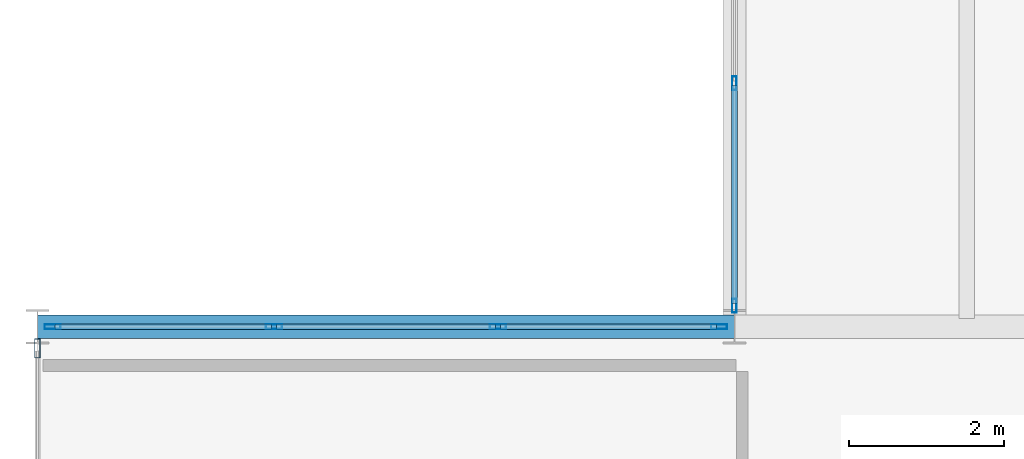
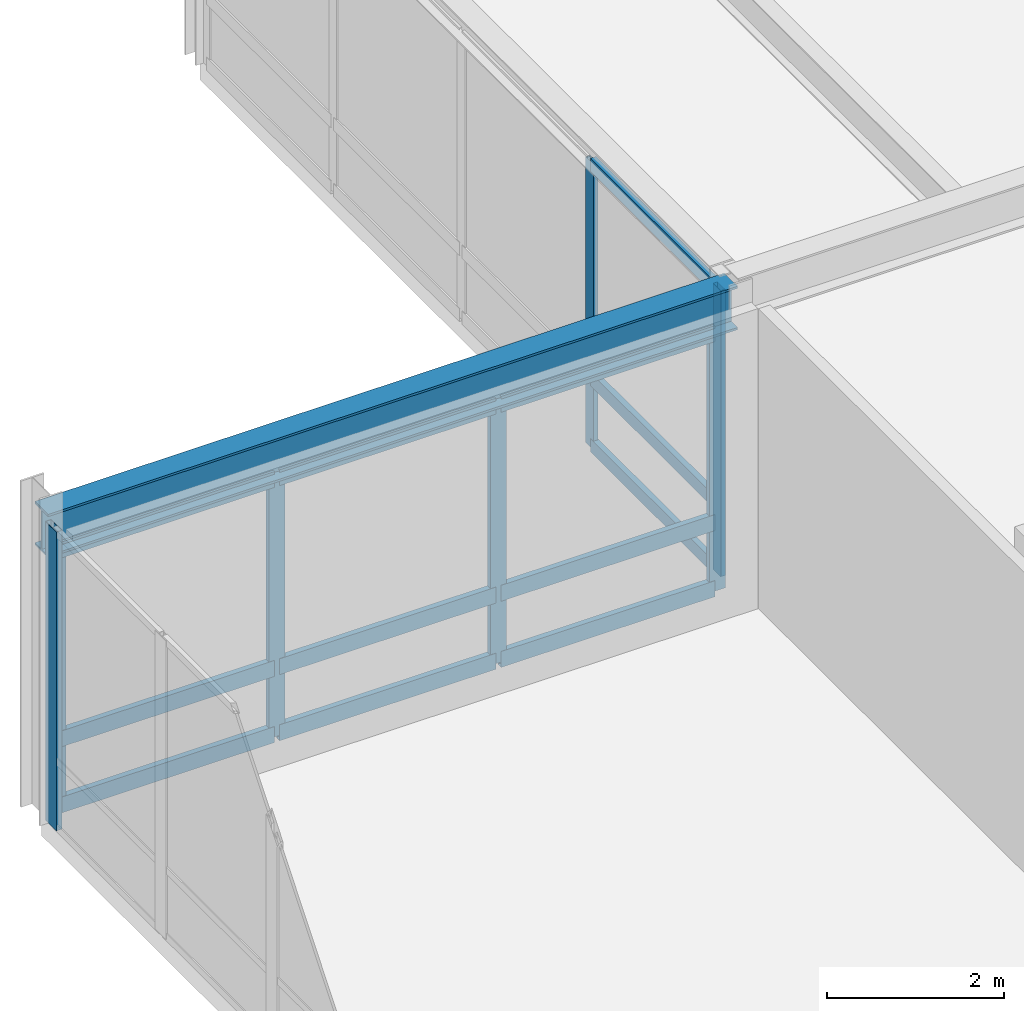
# One storey, part 63 of 115: 19 members, 1 beam, 3 elements without a shape of their own.
"""IFC4 building model written with IfcOpenShell, lengths in metres."""

from ifc_helpers import new_model, si_unit, direction, frame, origin, origin_2d, place, context, subcontext, project, spatial, hollow_rectangle, i_section, extrude, material, layer, layer_set, material_profile, profile_set, type_object, element, aggregate, save


model = new_model("IFC4")

# Units and contexts
model_context = context("Model", 3, precision=1e-05, world=origin(), true_north=direction((0.0, 1.0)))
body_context = subcontext(model_context, "Body", "Model", "MODEL_VIEW")
ifc_project = project(units=[si_unit("LENGTHUNIT", "METRE"), si_unit("AREAUNIT", "SQUARE_METRE"), si_unit("VOLUMEUNIT", "CUBIC_METRE"), si_unit("PLANEANGLEUNIT", "RADIAN"), si_unit("MASSUNIT", "GRAM", prefix="KILO")], contexts=[model_context])

# Site, building, storey
site_placement = place(None, origin())
site = spatial("IfcSite", under=ifc_project, at=site_placement, CompositionType="ELEMENT")
building_placement = place(site_placement, origin())
building = spatial("IfcBuilding", under=site, at=building_placement, Name="Montelvaro Courts of Justice", CompositionType="ELEMENT")
storey_placement = place(building_placement, frame((0.0, 0.0, 9.89990234375)))
storey = spatial("IfcBuildingStorey", under=building, at=storey_placement, Name="L02", CompositionType="ELEMENT", Elevation=9.89990234375)

# Beam
ifc_material_1 = material(Name="Steel S355", Category="steel")
ifc_material_profile_1 = material_profile(ifc_material_1, i_section(OverallWidth=0.300048828125, OverallDepth=0.60009765625, WebThickness=0.015380859375, FlangeThickness=0.030029296875, at=origin_2d()), Name="HEB 600")
ifc_profile_set_1 = profile_set([ifc_material_profile_1], Name="Steel S355")
beam_type = type_object("IfcBeamType", Name="Beam_HEB600", PredefinedType="USERDEFINED", material=ifc_profile_set_1)
beam_placement = place(storey_placement, frame((18.0, 96.0, 3.900146484375), z_axis=(1.0, 0.0, 0.0), x_axis=(0.0, 1.0, 0.0)))
element("IfcBeam", 1, at=beam_placement, inside=storey, type_object=beam_type, Name="V1 Roof Eave Girder", ObjectType="GIRDER", PredefinedType="USERDEFINED", context=body_context, shape_type="SweptSolid", body=[
    extrude(i_section(OverallWidth=0.300048828125, OverallDepth=0.60009765625, WebThickness=0.015380859375, FlangeThickness=0.030029296875, at=origin_2d()), origin(), (0.0, 0.0, 1.0), 9.0),
])

# Curtain wall, members
ifc_material_2 = material(Name="Anodised aluminium EN AW-6063", Category="aluminium")
ifc_layer_1 = layer(ifc_material_2, 0.159912109375)
ifc_layer_set_1 = layer_set([ifc_layer_1], Name="Anodised aluminium EN AW-6063")
curtain_wall_type_1 = type_object("IfcCurtainWallType", Name="CurtainWall_19_1159x418", PredefinedType="USERDEFINED", material=ifc_layer_set_1)
curtain_wall_1_placement = place(storey_placement, origin())
curtain_wall_1 = element("IfcCurtainWall", 2, at=curtain_wall_1_placement, inside=storey, type_object=curtain_wall_type_1, Name="Curtain Wall CW-19 (L02)", ObjectType="CURTAIN WALL", PredefinedType="USERDEFINED")
ifc_material_profile_2 = material_profile(ifc_material_2, hollow_rectangle(XDim=0.06005859375, YDim=0.179931640625, WallThickness=0.00439453125, at=origin_2d()), Name="ALU-M 60x180")
ifc_profile_set_2 = profile_set([ifc_material_profile_2], Name="Anodised aluminium EN AW-6063")
member_type_1 = type_object("IfcMemberType", Name="CurtainWall_Mullion_60x180", PredefinedType="MULLION", material=ifc_profile_set_2)
member_1_placement = place(storey_placement, frame((27.0, 99.143798828125, 0.0), z_axis=(0.0, 0.0, 1.0), x_axis=(1.0, 0.0, 0.0)))
member_1 = element("IfcMember", 3, at=member_1_placement, type_object=member_type_1, Name="CW-19 mullion 4", PredefinedType="MULLION", context=body_context, shape_type="SweptSolid", body=[
    extrude(hollow_rectangle(XDim=0.06005859375, YDim=0.179931640625, WallThickness=0.00439453125, at=origin_2d()), origin(), (0.0, 0.0, 1.0), 3.945068359375),
])
member_2_placement = place(storey_placement, frame((27.0, 96.27001953125, 0.0), z_axis=(0.0, 0.0, 1.0), x_axis=(1.0, 0.0, 0.0)))
member_2 = element("IfcMember", 4, at=member_2_placement, type_object=member_type_1, Name="CW-19 mullion 5", PredefinedType="MULLION", context=body_context, shape_type="SweptSolid", body=[
    extrude(hollow_rectangle(XDim=0.06005859375, YDim=0.179931640625, WallThickness=0.00439453125, at=origin_2d()), origin(), (0.0, 0.0, 1.0), 3.945068359375),
])

ifc_layer_2 = layer(ifc_material_2, 0.159912109375)
ifc_layer_set_2 = layer_set([ifc_layer_2], Name="Anodised aluminium EN AW-6063")
curtain_wall_type_2 = type_object("IfcCurtainWallType", Name="CurtainWall_14_867x418", PredefinedType="USERDEFINED", material=ifc_layer_set_2)
curtain_wall_2_placement = place(storey_placement, origin())
curtain_wall_2 = element("IfcCurtainWall", 5, at=curtain_wall_2_placement, inside=storey, type_object=curtain_wall_type_2, Name="Curtain Wall CW-14 (L02)", ObjectType="CURTAIN WALL", PredefinedType="USERDEFINED")
ifc_material_profile_3 = material_profile(ifc_material_2, hollow_rectangle(XDim=0.06494140625, YDim=0.2099609375, WallThickness=0.0048828125, at=origin_2d()), Name="ALU-M 65x210")
ifc_profile_set_3 = profile_set([ifc_material_profile_3], Name="Anodised aluminium EN AW-6063")
member_type_2 = type_object("IfcMemberType", Name="CurtainWall_Mullion_65x210", PredefinedType="MULLION", material=ifc_profile_set_3)
member_3_placement = place(storey_placement, frame((26.802490234375, 96.0, 0.0), z_axis=(0.0, 0.0, 1.0), x_axis=(0.0, -1.0, 0.0)))
member_3 = element("IfcMember", 6, at=member_3_placement, type_object=member_type_2, Name="CW-14 mullion 1", PredefinedType="MULLION", context=body_context, shape_type="SweptSolid", body=[
    extrude(hollow_rectangle(XDim=0.06494140625, YDim=0.2099609375, WallThickness=0.0048828125, at=origin_2d()), origin(), (0.0, 0.0, 1.0), 3.59521484375),
])
member_4_placement = place(storey_placement, frame((23.945068359375, 96.0, 0.0), z_axis=(0.0, 0.0, 1.0), x_axis=(0.0, -1.0, 0.0)))
member_4 = element("IfcMember", 7, at=member_4_placement, type_object=member_type_2, Name="CW-14 mullion 2", PredefinedType="MULLION", context=body_context, shape_type="SweptSolid", body=[
    extrude(hollow_rectangle(XDim=0.06494140625, YDim=0.2099609375, WallThickness=0.0048828125, at=origin_2d()), origin(), (0.0, 0.0, 1.0), 3.59521484375),
])
member_5_placement = place(storey_placement, frame((21.054931640625, 96.0, 0.0), z_axis=(0.0, 0.0, 1.0), x_axis=(0.0, -1.0, 0.0)))
member_5 = element("IfcMember", 8, at=member_5_placement, type_object=member_type_2, Name="CW-14 mullion 3", PredefinedType="MULLION", context=body_context, shape_type="SweptSolid", body=[
    extrude(hollow_rectangle(XDim=0.06494140625, YDim=0.2099609375, WallThickness=0.0048828125, at=origin_2d()), origin(), (0.0, 0.0, 1.0), 3.59521484375),
])
member_6_placement = place(storey_placement, frame((18.197509765625, 96.0, 0.0), z_axis=(0.0, 0.0, 1.0), x_axis=(0.0, -1.0, 0.0)))
member_6 = element("IfcMember", 9, at=member_6_placement, type_object=member_type_2, Name="CW-14 mullion 4", PredefinedType="MULLION", context=body_context, shape_type="SweptSolid", body=[
    extrude(hollow_rectangle(XDim=0.06494140625, YDim=0.2099609375, WallThickness=0.0048828125, at=origin_2d()), origin(), (0.0, 0.0, 1.0), 3.59521484375),
])

# Curtain wall, member
ifc_layer_3 = layer(ifc_material_2, 0.159912109375)
ifc_layer_set_3 = layer_set([ifc_layer_3], Name="Anodised aluminium EN AW-6063")
curtain_wall_type_3 = type_object("IfcCurtainWallType", Name="CurtainWall_22_1761x418", PredefinedType="USERDEFINED", material=ifc_layer_set_3)
curtain_wall_3_placement = place(storey_placement, origin())
curtain_wall_3 = element("IfcCurtainWall", 10, at=curtain_wall_3_placement, inside=storey, type_object=curtain_wall_type_3, Name="Curtain Wall CW-22 (L02)", ObjectType="CURTAIN WALL", PredefinedType="USERDEFINED")
ifc_material_profile_4 = material_profile(ifc_material_2, hollow_rectangle(XDim=0.074951171875, YDim=0.25, WallThickness=0.005615234375, at=origin_2d()), Name="ALU-M 75x250")
ifc_profile_set_4 = profile_set([ifc_material_profile_4], Name="Anodised aluminium EN AW-6063")
member_type_3 = type_object("IfcMemberType", Name="CurtainWall_Mullion_75x250", PredefinedType="MULLION", material=ifc_profile_set_4)
member_7_placement = place(storey_placement, frame((18.0, 95.722412109375, 0.0), z_axis=(0.0, 0.0, 1.0), x_axis=(1.0, 0.0, 0.0)))
member_7 = element("IfcMember", 11, at=member_7_placement, type_object=member_type_3, Name="CW-22 mullion 1", PredefinedType="MULLION", context=body_context, shape_type="SweptSolid", body=[
    extrude(hollow_rectangle(XDim=0.074951171875, YDim=0.25, WallThickness=0.005615234375, at=origin_2d()), origin(), (0.0, 0.0, 1.0), 4.1201171875),
])
aggregate(curtain_wall_3, [member_7])

# Member
ifc_material_profile_5 = material_profile(ifc_material_2, hollow_rectangle(XDim=0.074951171875, YDim=0.179931640625, WallThickness=0.0048828125, at=origin_2d()), Name="ALU-T 75x180")
ifc_profile_set_5 = profile_set([ifc_material_profile_5], Name="Anodised aluminium EN AW-6063")
member_type_4 = type_object("IfcMemberType", Name="CurtainWall_Transom_75x180", PredefinedType="USERDEFINED", material=ifc_profile_set_5)
member_8_placement = place(storey_placement, frame((27.0, 99.11376953125, 0.03759765625), z_axis=(0.0, -1.0, 0.0), x_axis=(1.0, 0.0, 0.0)))
member_8 = element("IfcMember", 12, at=member_8_placement, type_object=member_type_4, Name="CW-19 transom 4.1", ObjectType="TRANSOM", PredefinedType="USERDEFINED", context=body_context, shape_type="SweptSolid", body=[
    extrude(hollow_rectangle(XDim=0.074951171875, YDim=0.179931640625, WallThickness=0.0048828125, at=origin_2d()), origin(), (0.0, 0.0, 1.0), 2.813720703125),
])

member_9_placement = place(storey_placement, frame((27.0, 99.11376953125, 0.9501953125), z_axis=(0.0, -1.0, 0.0), x_axis=(1.0, 0.0, 0.0)))
member_9 = element("IfcMember", 13, at=member_9_placement, type_object=member_type_4, Name="CW-19 transom 4.2", ObjectType="TRANSOM", PredefinedType="USERDEFINED", context=body_context, shape_type="SweptSolid", body=[
    extrude(hollow_rectangle(XDim=0.074951171875, YDim=0.179931640625, WallThickness=0.0048828125, at=origin_2d()), origin(), (0.0, 0.0, 1.0), 2.813720703125),
])

member_10_placement = place(storey_placement, frame((27.0, 99.11376953125, 3.90771484375), z_axis=(0.0, -1.0, 0.0), x_axis=(1.0, 0.0, 0.0)))
member_10 = element("IfcMember", 14, at=member_10_placement, type_object=member_type_4, Name="CW-19 transom 4.3", ObjectType="TRANSOM", PredefinedType="USERDEFINED", context=body_context, shape_type="SweptSolid", body=[
    extrude(hollow_rectangle(XDim=0.074951171875, YDim=0.179931640625, WallThickness=0.0048828125, at=origin_2d()), origin(), (0.0, 0.0, 1.0), 2.813720703125),
])

aggregate(curtain_wall_1, [member_1, member_2, member_8, member_9, member_10])

ifc_material_profile_6 = material_profile(ifc_material_2, hollow_rectangle(XDim=0.074951171875, YDim=0.219970703125, WallThickness=0.005615234375, at=origin_2d()), Name="ALU-T 75x220")
ifc_profile_set_6 = profile_set([ifc_material_profile_6], Name="Anodised aluminium EN AW-6063")
member_type_5 = type_object("IfcMemberType", Name="CurtainWall_Transom_75x220", PredefinedType="USERDEFINED", material=ifc_profile_set_6)
member_11_placement = place(storey_placement, frame((26.77001953125, 96.0, 0.03759765625), z_axis=(-1.0, 0.0, 0.0), x_axis=(0.0, -1.0, 0.0)))
member_11 = element("IfcMember", 15, at=member_11_placement, type_object=member_type_5, Name="CW-14 transom 1.1", ObjectType="TRANSOM", PredefinedType="USERDEFINED", context=body_context, shape_type="SweptSolid", body=[
    extrude(hollow_rectangle(XDim=0.074951171875, YDim=0.219970703125, WallThickness=0.005615234375, at=origin_2d()), origin(), (0.0, 0.0, 1.0), 2.79248046875),
])

member_12_placement = place(storey_placement, frame((26.77001953125, 96.0, 0.9501953125), z_axis=(-1.0, 0.0, 0.0), x_axis=(0.0, -1.0, 0.0)))
member_12 = element("IfcMember", 16, at=member_12_placement, type_object=member_type_5, Name="CW-14 transom 1.2", ObjectType="TRANSOM", PredefinedType="USERDEFINED", context=body_context, shape_type="SweptSolid", body=[
    extrude(hollow_rectangle(XDim=0.074951171875, YDim=0.219970703125, WallThickness=0.005615234375, at=origin_2d()), origin(), (0.0, 0.0, 1.0), 2.79248046875),
])

member_13_placement = place(storey_placement, frame((26.77001953125, 96.0, 3.5576171875), z_axis=(-1.0, 0.0, 0.0), x_axis=(0.0, -1.0, 0.0)))
member_13 = element("IfcMember", 17, at=member_13_placement, type_object=member_type_5, Name="CW-14 transom 1.3", ObjectType="TRANSOM", PredefinedType="USERDEFINED", context=body_context, shape_type="SweptSolid", body=[
    extrude(hollow_rectangle(XDim=0.074951171875, YDim=0.219970703125, WallThickness=0.005615234375, at=origin_2d()), origin(), (0.0, 0.0, 1.0), 2.79248046875),
])

member_14_placement = place(storey_placement, frame((23.91259765625, 96.0, 0.03759765625), z_axis=(-1.0, 0.0, 0.0), x_axis=(0.0, -1.0, 0.0)))
member_14 = element("IfcMember", 18, at=member_14_placement, type_object=member_type_5, Name="CW-14 transom 2.1", ObjectType="TRANSOM", PredefinedType="USERDEFINED", context=body_context, shape_type="SweptSolid", body=[
    extrude(hollow_rectangle(XDim=0.074951171875, YDim=0.219970703125, WallThickness=0.005615234375, at=origin_2d()), origin(), (0.0, 0.0, 1.0), 2.8251953125),
])

member_15_placement = place(storey_placement, frame((23.91259765625, 96.0, 0.9501953125), z_axis=(-1.0, 0.0, 0.0), x_axis=(0.0, -1.0, 0.0)))
member_15 = element("IfcMember", 19, at=member_15_placement, type_object=member_type_5, Name="CW-14 transom 2.2", ObjectType="TRANSOM", PredefinedType="USERDEFINED", context=body_context, shape_type="SweptSolid", body=[
    extrude(hollow_rectangle(XDim=0.074951171875, YDim=0.219970703125, WallThickness=0.005615234375, at=origin_2d()), origin(), (0.0, 0.0, 1.0), 2.8251953125),
])

member_16_placement = place(storey_placement, frame((23.91259765625, 96.0, 3.5576171875), z_axis=(-1.0, 0.0, 0.0), x_axis=(0.0, -1.0, 0.0)))
member_16 = element("IfcMember", 20, at=member_16_placement, type_object=member_type_5, Name="CW-14 transom 2.3", ObjectType="TRANSOM", PredefinedType="USERDEFINED", context=body_context, shape_type="SweptSolid", body=[
    extrude(hollow_rectangle(XDim=0.074951171875, YDim=0.219970703125, WallThickness=0.005615234375, at=origin_2d()), origin(), (0.0, 0.0, 1.0), 2.8251953125),
])

member_17_placement = place(storey_placement, frame((21.0224609375, 96.0, 0.03759765625), z_axis=(-1.0, 0.0, 0.0), x_axis=(0.0, -1.0, 0.0)))
member_17 = element("IfcMember", 21, at=member_17_placement, type_object=member_type_5, Name="CW-14 transom 3.1", ObjectType="TRANSOM", PredefinedType="USERDEFINED", context=body_context, shape_type="SweptSolid", body=[
    extrude(hollow_rectangle(XDim=0.074951171875, YDim=0.219970703125, WallThickness=0.005615234375, at=origin_2d()), origin(), (0.0, 0.0, 1.0), 2.79248046875),
])

member_18_placement = place(storey_placement, frame((21.0224609375, 96.0, 0.9501953125), z_axis=(-1.0, 0.0, 0.0), x_axis=(0.0, -1.0, 0.0)))
member_18 = element("IfcMember", 22, at=member_18_placement, type_object=member_type_5, Name="CW-14 transom 3.2", ObjectType="TRANSOM", PredefinedType="USERDEFINED", context=body_context, shape_type="SweptSolid", body=[
    extrude(hollow_rectangle(XDim=0.074951171875, YDim=0.219970703125, WallThickness=0.005615234375, at=origin_2d()), origin(), (0.0, 0.0, 1.0), 2.79248046875),
])

member_19_placement = place(storey_placement, frame((21.0224609375, 96.0, 3.5576171875), z_axis=(-1.0, 0.0, 0.0), x_axis=(0.0, -1.0, 0.0)))
member_19 = element("IfcMember", 23, at=member_19_placement, type_object=member_type_5, Name="CW-14 transom 3.3", ObjectType="TRANSOM", PredefinedType="USERDEFINED", context=body_context, shape_type="SweptSolid", body=[
    extrude(hollow_rectangle(XDim=0.074951171875, YDim=0.219970703125, WallThickness=0.005615234375, at=origin_2d()), origin(), (0.0, 0.0, 1.0), 2.79248046875),
])

aggregate(curtain_wall_2, [member_3, member_4, member_5, member_6, member_11, member_12, member_13, member_14, member_15, member_16, member_17, member_18, member_19])

save(model, "model.ifc")
